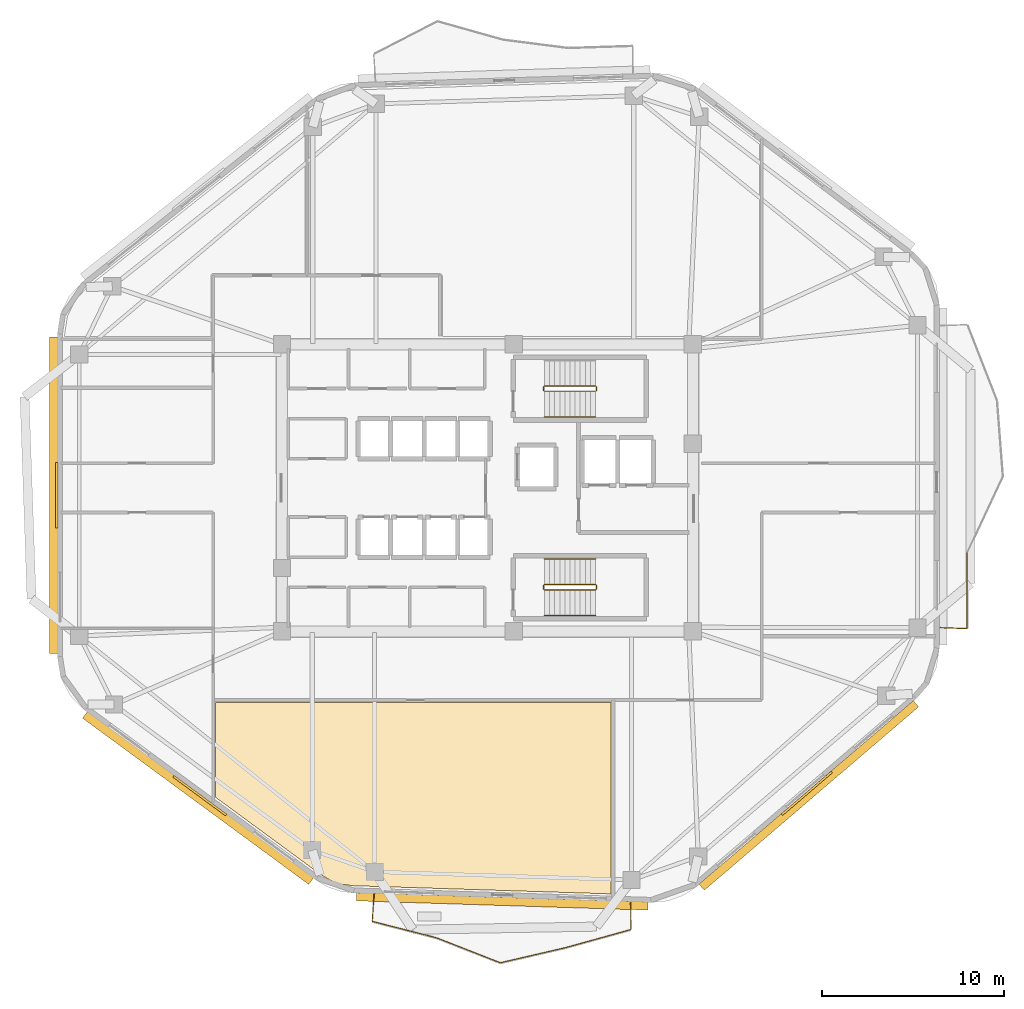
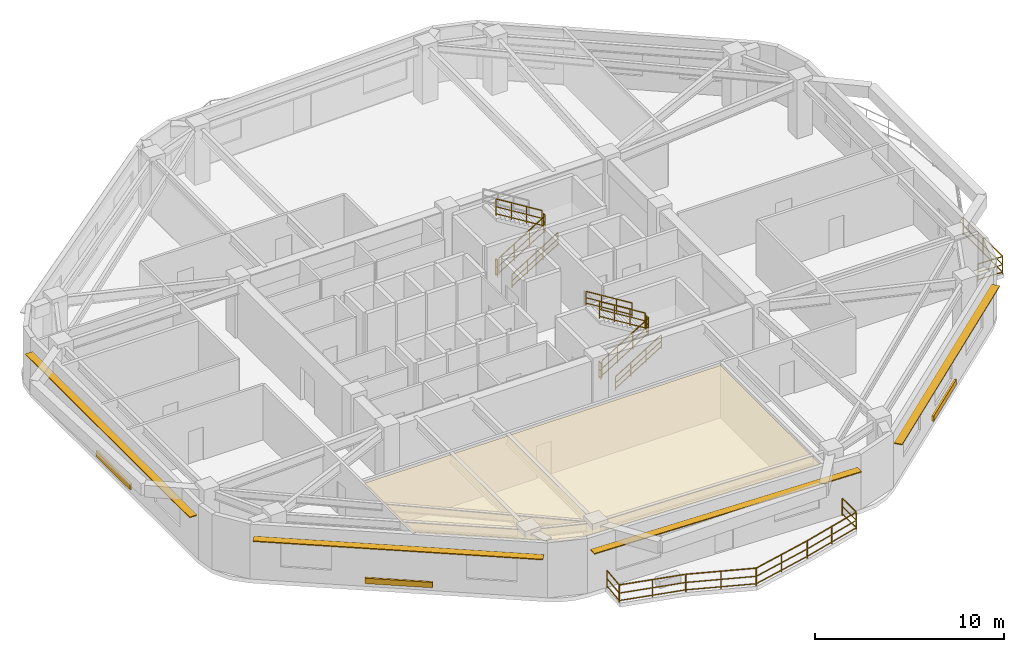
# One storey, part 7 of 8: 19 railings, 7 shading devices, 1 covering.
"""IFC4 building model written with IfcOpenShell, lengths in metres."""

from ifc_helpers import new_model, si_unit, direction, frame, origin, origin_2d, place, context, subcontext, project, spatial, polyline, rectangle, outline, extrude, material, layer, layer_set, type_object, element, save


model = new_model("IFC4")

# Units and contexts
model_context = context("Model", 3, precision=1e-05, world=origin(), true_north=direction((0.0, 1.0)))
body_context = subcontext(model_context, "Body", "Model", "MODEL_VIEW")
ifc_project = project(units=[si_unit("LENGTHUNIT", "METRE"), si_unit("AREAUNIT", "SQUARE_METRE"), si_unit("VOLUMEUNIT", "CUBIC_METRE"), si_unit("PLANEANGLEUNIT", "RADIAN"), si_unit("MASSUNIT", "GRAM", prefix="KILO")], contexts=[model_context])

# Site, building, storey
site_placement = place(None, origin())
site = spatial("IfcSite", under=ifc_project, at=site_placement, CompositionType="ELEMENT")
building_placement = place(site_placement, origin())
building = spatial("IfcBuilding", under=site, at=building_placement, Name="Zulverin Broadcast Headquarters", CompositionType="ELEMENT")
storey_placement = place(building_placement, frame((0.0, 0.0, 166.800048828125)))
storey = spatial("IfcBuildingStorey", under=building, at=storey_placement, Name="L42", CompositionType="ELEMENT", Elevation=166.800048828125)

# Covering
ifc_material_1 = material(Name="Perforated pale-metal acoustic baffle ceiling", Category="aluminium")
ifc_layer_1 = layer(ifc_material_1, 0.0400390625, Name="Perforated pale-metal acoustic baffle ceiling", Category="aluminium")
ifc_layer_set_1 = layer_set([ifc_layer_1], Name="Perforated pale-metal acoustic baffle ceiling")
covering_type = type_object("IfcCoveringType", Name="COV-CEIL-ACOU", PredefinedType="CEILING", material=ifc_layer_set_1)
covering_placement = place(storey_placement, frame((0.0, 0.0, 3.35986328125)))
element("IfcCovering", 1, at=covering_placement, inside=storey, type_object=covering_type, Name="L42 Acoustic Baffle Ceiling 03", PredefinedType="CEILING", context=body_context, shape_type="SweptSolid", body=[
    extrude(outline(polyline([(28.39599609375, 3.659912109375), (29.0, 3.447998046875), (29.652099609375, 3.364013671875), (43.780029296875, 2.916015625), (43.780029296875, 13.431884765625), (22.072021484375, 13.431884765625), (22.072021484375, 8.22412109375), (27.823974609375, 3.99609375), (28.39599609375, 3.659912109375)])), origin(), (0.0, 0.0, 1.0), 0.0400390625),
])

# Railings
ifc_material_2 = material(Name="Brushed stainless steel & laminated glass balustrade", Category="steel")
railing_type_1 = type_object("IfcRailingType", Name="RL-GUARD-1150", PredefinedType="GUARDRAIL", material=ifc_material_2)
railing_1_placement = place(storey_placement, frame((61.840087890625, 17.529296875, 0.0)))
element("IfcRailing", 2, at=railing_1_placement, inside=storey, type_object=railing_type_1, Name="L42 Vertical-Forest Balcony Guardrail BAL_E Segment 01", PredefinedType="GUARDRAIL", context=body_context, shape_type="SweptSolid", body=[
    extrude(rectangle(XDim=0.048095703125, YDim=0.048095703125, at=origin_2d()), frame((0.0, 0.0, 1.1259765625), z_axis=(0.99918088253, -0.040466825742, 0.0), x_axis=(0.040466825742, 0.99918088253, 0.0)), (0.0, 0.0, 1.0), 1.466064453125),
    extrude(rectangle(XDim=0.0419921875, YDim=0.0419921875, at=origin_2d()), frame((0.0, 0.0, 0.597900390625), z_axis=(0.99918088253, -0.040466825742, 0.0), x_axis=(0.040466825742, 0.99918088253, 0.0)), (0.0, 0.0, 1.0), 1.466064453125),
    extrude(rectangle(XDim=0.0419921875, YDim=0.0419921875, at=origin_2d()), frame((0.0, 0.0, 0.1201171875), z_axis=(0.99918088253, -0.040466825742, 0.0), x_axis=(0.040466825742, 0.99918088253, 0.0)), (0.0, 0.0, 1.0), 1.466064453125),
    extrude(rectangle(XDim=0.0419921875, YDim=0.0419921875, at=origin_2d()), origin(), (0.0, 0.0, 1.0), 1.101806640625),
    extrude(rectangle(XDim=0.0419921875, YDim=0.0419921875, at=origin_2d()), frame((1.46484375, -0.059326171875, 0.0)), (0.0, 0.0, 1.0), 1.101806640625),
])
railing_2_placement = place(storey_placement, frame((63.320068359375, 17.484375, 0.0)))
element("IfcRailing", 3, at=railing_2_placement, inside=storey, type_object=railing_type_1, Name="L42 Vertical-Forest Balcony Guardrail BAL_E Segment 02", PredefinedType="GUARDRAIL", context=body_context, shape_type="SweptSolid", body=[
    extrude(rectangle(XDim=0.048095703125, YDim=0.048095703125, at=origin_2d()), frame((0.0, 0.0, 1.1259765625), z_axis=(0.0, 1.0, 0.0), x_axis=(-1.0, 0.0, 0.0)), (0.0, 0.0, 1.0), 4.1455078125),
    extrude(rectangle(XDim=0.0419921875, YDim=0.0419921875, at=origin_2d()), frame((0.0, 0.0, 0.597900390625), z_axis=(0.0, 1.0, 0.0), x_axis=(-1.0, 0.0, 0.0)), (0.0, 0.0, 1.0), 4.1455078125),
    extrude(rectangle(XDim=0.0419921875, YDim=0.0419921875, at=origin_2d()), frame((0.0, 0.0, 0.1201171875), z_axis=(0.0, 1.0, 0.0), x_axis=(-1.0, 0.0, 0.0)), (0.0, 0.0, 1.0), 4.1455078125),
    extrude(rectangle(XDim=0.0419921875, YDim=0.0419921875, at=origin_2d()), origin(), (0.0, 0.0, 1.0), 1.101806640625),
    extrude(rectangle(XDim=0.0419921875, YDim=0.0419921875, at=origin_2d()), frame((0.0, 2.07275390625, 0.0)), (0.0, 0.0, 1.0), 1.101806640625),
    extrude(rectangle(XDim=0.0419921875, YDim=0.0419921875, at=origin_2d()), frame((0.0, 4.1455078125, 0.0)), (0.0, 0.0, 1.0), 1.101806640625),
])
railing_3_placement = place(storey_placement, frame((30.779296875, 2.8876953125, 0.0)))
element("IfcRailing", 4, at=railing_3_placement, inside=storey, type_object=railing_type_1, Name="L42 Vertical-Forest Balcony Guardrail BAL_S Segment 01", PredefinedType="GUARDRAIL", context=body_context, shape_type="SweptSolid", body=[
    extrude(rectangle(XDim=0.048095703125, YDim=0.048095703125, at=origin_2d()), frame((0.0, 0.0, 1.1259765625), z_axis=(-0.072276661537, -0.997384621997, 0.0), x_axis=(0.997384621997, -0.072276661537, 0.0)), (0.0, 0.0, 1.0), 1.466064453125),
    extrude(rectangle(XDim=0.0419921875, YDim=0.0419921875, at=origin_2d()), frame((0.0, 0.0, 0.597900390625), z_axis=(-0.072276661537, -0.997384621997, 0.0), x_axis=(0.997384621997, -0.072276661537, 0.0)), (0.0, 0.0, 1.0), 1.466064453125),
    extrude(rectangle(XDim=0.0419921875, YDim=0.0419921875, at=origin_2d()), frame((0.0, 0.0, 0.1201171875), z_axis=(-0.072276661537, -0.997384621997, 0.0), x_axis=(0.997384621997, -0.072276661537, 0.0)), (0.0, 0.0, 1.0), 1.466064453125),
    extrude(rectangle(XDim=0.0419921875, YDim=0.0419921875, at=origin_2d()), origin(), (0.0, 0.0, 1.0), 1.101806640625),
    extrude(rectangle(XDim=0.0419921875, YDim=0.0419921875, at=origin_2d()), frame((-0.10595703125, -1.462158203125, 0.0)), (0.0, 0.0, 1.0), 1.101806640625),
])
railing_4_placement = place(storey_placement, frame((30.686767578125, 1.40673828125, 0.0)))
element("IfcRailing", 5, at=railing_4_placement, inside=storey, type_object=railing_type_1, Name="L42 Vertical-Forest Balcony Guardrail BAL_S Segment 02", PredefinedType="GUARDRAIL", context=body_context, shape_type="SweptSolid", body=[
    extrude(rectangle(XDim=0.048095703125, YDim=0.048095703125, at=origin_2d()), frame((0.0, 0.0, 1.1259765625), z_axis=(0.968892172976, -0.247483246194, 0.0), x_axis=(0.247483246194, 0.968892172976, 0.0)), (0.0, 0.0, 1.0), 3.608642578125),
    extrude(rectangle(XDim=0.0419921875, YDim=0.0419921875, at=origin_2d()), frame((0.0, 0.0, 0.597900390625), z_axis=(0.968892172976, -0.247483246194, 0.0), x_axis=(0.247483246194, 0.968892172976, 0.0)), (0.0, 0.0, 1.0), 3.608642578125),
    extrude(rectangle(XDim=0.0419921875, YDim=0.0419921875, at=origin_2d()), frame((0.0, 0.0, 0.1201171875), z_axis=(0.968892172976, -0.247483246194, 0.0), x_axis=(0.247483246194, 0.968892172976, 0.0)), (0.0, 0.0, 1.0), 3.608642578125),
    extrude(rectangle(XDim=0.0419921875, YDim=0.0419921875, at=origin_2d()), origin(), (0.0, 0.0, 1.0), 1.101806640625),
    extrude(rectangle(XDim=0.0419921875, YDim=0.0419921875, at=origin_2d()), frame((1.748046875, -0.446533203125, 0.0)), (0.0, 0.0, 1.0), 1.101806640625),
    extrude(rectangle(XDim=0.0419921875, YDim=0.0419921875, at=origin_2d()), frame((3.496337890625, -0.89306640625, 0.0)), (0.0, 0.0, 1.0), 1.101806640625),
])
railing_5_placement = place(storey_placement, frame((34.211669921875, 0.50439453125, 0.0)))
element("IfcRailing", 6, at=railing_5_placement, inside=storey, type_object=railing_type_1, Name="L42 Vertical-Forest Balcony Guardrail BAL_S Segment 03", PredefinedType="GUARDRAIL", context=body_context, shape_type="SweptSolid", body=[
    extrude(rectangle(XDim=0.048095703125, YDim=0.048095703125, at=origin_2d()), frame((0.0, 0.0, 1.1259765625), z_axis=(0.931246632898, -0.364389501381, 0.0), x_axis=(0.364389501381, 0.931246632898, 0.0)), (0.0, 0.0, 1.0), 3.7392578125),
    extrude(rectangle(XDim=0.0419921875, YDim=0.0419921875, at=origin_2d()), frame((0.0, 0.0, 0.597900390625), z_axis=(0.931246632898, -0.364389501381, 0.0), x_axis=(0.364389501381, 0.931246632898, 0.0)), (0.0, 0.0, 1.0), 3.7392578125),
    extrude(rectangle(XDim=0.0419921875, YDim=0.0419921875, at=origin_2d()), frame((0.0, 0.0, 0.1201171875), z_axis=(0.931246632898, -0.364389501381, 0.0), x_axis=(0.364389501381, 0.931246632898, 0.0)), (0.0, 0.0, 1.0), 3.7392578125),
    extrude(rectangle(XDim=0.0419921875, YDim=0.0419921875, at=origin_2d()), origin(), (0.0, 0.0, 1.0), 1.101806640625),
    extrude(rectangle(XDim=0.0419921875, YDim=0.0419921875, at=origin_2d()), frame((1.7412109375, -0.68115234375, 0.0)), (0.0, 0.0, 1.0), 1.101806640625),
    extrude(rectangle(XDim=0.0419921875, YDim=0.0419921875, at=origin_2d()), frame((3.482177734375, -1.362548828125, 0.0)), (0.0, 0.0, 1.0), 1.101806640625),
])
railing_6_placement = place(storey_placement, frame((37.722412109375, -0.8603515625, 0.0)))
element("IfcRailing", 7, at=railing_6_placement, inside=storey, type_object=railing_type_1, Name="L42 Vertical-Forest Balcony Guardrail BAL_S Segment 04", PredefinedType="GUARDRAIL", context=body_context, shape_type="SweptSolid", body=[
    extrude(rectangle(XDim=0.048095703125, YDim=0.048095703125, at=origin_2d()), frame((0.0, 0.0, 1.1259765625), z_axis=(0.974134331739, 0.225969696479, 0.0), x_axis=(-0.225969696479, 0.974134331739, 0.0)), (0.0, 0.0, 1.0), 3.645263671875),
    extrude(rectangle(XDim=0.0419921875, YDim=0.0419921875, at=origin_2d()), frame((0.0, 0.0, 0.597900390625), z_axis=(0.974134331739, 0.225969696479, 0.0), x_axis=(-0.225969696479, 0.974134331739, 0.0)), (0.0, 0.0, 1.0), 3.645263671875),
    extrude(rectangle(XDim=0.0419921875, YDim=0.0419921875, at=origin_2d()), frame((0.0, 0.0, 0.1201171875), z_axis=(0.974134331739, 0.225969696479, 0.0), x_axis=(-0.225969696479, 0.974134331739, 0.0)), (0.0, 0.0, 1.0), 3.645263671875),
    extrude(rectangle(XDim=0.0419921875, YDim=0.0419921875, at=origin_2d()), origin(), (0.0, 0.0, 1.0), 1.101806640625),
    extrude(rectangle(XDim=0.0419921875, YDim=0.0419921875, at=origin_2d()), frame((1.775390625, 0.411865234375, 0.0)), (0.0, 0.0, 1.0), 1.101806640625),
    extrude(rectangle(XDim=0.0419921875, YDim=0.0419921875, at=origin_2d()), frame((3.551025390625, 0.82373046875, 0.0)), (0.0, 0.0, 1.0), 1.101806640625),
])
railing_7_placement = place(storey_placement, frame((41.302490234375, -0.029296875, 0.0)))
element("IfcRailing", 8, at=railing_7_placement, inside=storey, type_object=railing_type_1, Name="L42 Vertical-Forest Balcony Guardrail BAL_S Segment 05", PredefinedType="GUARDRAIL", context=body_context, shape_type="SweptSolid", body=[
    extrude(rectangle(XDim=0.048095703125, YDim=0.048095703125, at=origin_2d()), frame((0.0, 0.0, 1.1259765625), z_axis=(0.963694935876, 0.267005750065, 0.0), x_axis=(-0.267005750065, 0.963694935876, 0.0)), (0.0, 0.0, 1.0), 3.6904296875),
    extrude(rectangle(XDim=0.0419921875, YDim=0.0419921875, at=origin_2d()), frame((0.0, 0.0, 0.597900390625), z_axis=(0.963694935876, 0.267005750065, 0.0), x_axis=(-0.267005750065, 0.963694935876, 0.0)), (0.0, 0.0, 1.0), 3.6904296875),
    extrude(rectangle(XDim=0.0419921875, YDim=0.0419921875, at=origin_2d()), frame((0.0, 0.0, 0.1201171875), z_axis=(0.963694935876, 0.267005750065, 0.0), x_axis=(-0.267005750065, 0.963694935876, 0.0)), (0.0, 0.0, 1.0), 3.6904296875),
    extrude(rectangle(XDim=0.0419921875, YDim=0.0419921875, at=origin_2d()), origin(), (0.0, 0.0, 1.0), 1.101806640625),
    extrude(rectangle(XDim=0.0419921875, YDim=0.0419921875, at=origin_2d()), frame((1.7783203125, 0.49267578125, 0.0)), (0.0, 0.0, 1.0), 1.101806640625),
    extrude(rectangle(XDim=0.0419921875, YDim=0.0419921875, at=origin_2d()), frame((3.556396484375, 0.9853515625, 0.0)), (0.0, 0.0, 1.0), 1.101806640625),
])
railing_8_placement = place(storey_placement, frame((44.873291015625, 0.97509765625, 0.0)))
element("IfcRailing", 9, at=railing_8_placement, inside=storey, type_object=railing_type_1, Name="L42 Vertical-Forest Balcony Guardrail BAL_S Segment 06", PredefinedType="GUARDRAIL", context=body_context, shape_type="SweptSolid", body=[
    extrude(rectangle(XDim=0.048095703125, YDim=0.048095703125, at=origin_2d()), frame((0.0, 0.0, 1.1259765625), z_axis=(-0.008659125807, 0.999962509067, 0.0), x_axis=(-0.999962509067, -0.008659125807, 0.0)), (0.0, 0.0, 1.0), 1.466064453125),
    extrude(rectangle(XDim=0.0419921875, YDim=0.0419921875, at=origin_2d()), frame((0.0, 0.0, 0.597900390625), z_axis=(-0.008659125807, 0.999962509067, 0.0), x_axis=(-0.999962509067, -0.008659125807, 0.0)), (0.0, 0.0, 1.0), 1.466064453125),
    extrude(rectangle(XDim=0.0419921875, YDim=0.0419921875, at=origin_2d()), frame((0.0, 0.0, 0.1201171875), z_axis=(-0.008659125807, 0.999962509067, 0.0), x_axis=(-0.999962509067, -0.008659125807, 0.0)), (0.0, 0.0, 1.0), 1.466064453125),
    extrude(rectangle(XDim=0.0419921875, YDim=0.0419921875, at=origin_2d()), origin(), (0.0, 0.0, 1.0), 1.101806640625),
    extrude(rectangle(XDim=0.0419921875, YDim=0.0419921875, at=origin_2d()), frame((-0.0126953125, 1.466064453125, 0.0)), (0.0, 0.0, 1.0), 1.101806640625),
])
ifc_material_3 = material(Name="Painted galvanized steel tubular guardrail S355JR", Category="steel")
railing_type_2 = type_object("IfcRailingType", Name="RL-ST-GUARD", PredefinedType="GUARDRAIL", material=ifc_material_3)
railing_9_placement = place(storey_placement, frame((40.1298828125, 30.5, 0.172607421875)))
element("IfcRailing", 10, at=railing_9_placement, inside=storey, type_object=railing_type_2, Name="L42 ST-1 stair guard 1", PredefinedType="GUARDRAIL", context=body_context, shape_type="SweptSolid", body=[
    extrude(rectangle(XDim=0.048095703125, YDim=0.048095703125, at=origin_2d()), frame((0.0, 0.0, 1.076171875), z_axis=(0.851089632645, 0.0, 0.525020415988), x_axis=(0.0, 1.0, 0.0)), (0.0, 0.0, 1.0), 3.2900390625),
    extrude(rectangle(XDim=0.0419921875, YDim=0.0419921875, at=origin_2d()), frame((0.0, 0.0, 0.572021484375), z_axis=(0.851089632645, 0.0, 0.525020415988), x_axis=(0.0, 1.0, 0.0)), (0.0, 0.0, 1.0), 3.2900390625),
    extrude(rectangle(XDim=0.0419921875, YDim=0.0419921875, at=origin_2d()), frame((0.0, 0.0, 0.1201171875), z_axis=(0.851089632645, 0.0, 0.525020415988), x_axis=(0.0, 1.0, 0.0)), (0.0, 0.0, 1.0), 3.2900390625),
    extrude(rectangle(XDim=0.0419921875, YDim=0.0419921875, at=origin_2d()), origin(), (0.0, 0.0, 1.0), 1.052001953125),
    extrude(rectangle(XDim=0.0419921875, YDim=0.0419921875, at=origin_2d()), frame((0.933349609375, 0.0, 0.57568359375)), (0.0, 0.0, 1.0), 1.052001953125),
    extrude(rectangle(XDim=0.0419921875, YDim=0.0419921875, at=origin_2d()), frame((1.86669921875, 0.0, 1.151611328125)), (0.0, 0.0, 1.0), 1.052001953125),
    extrude(rectangle(XDim=0.0419921875, YDim=0.0419921875, at=origin_2d()), frame((2.800048828125, 0.0, 1.727294921875)), (0.0, 0.0, 1.0), 1.052001953125),
])
railing_10_placement = place(storey_placement, frame((42.97998046875, 30.550048828125, 1.89990234375)))
element("IfcRailing", 11, at=railing_10_placement, inside=storey, type_object=railing_type_2, Name="L42 ST-1 stair guard 2", PredefinedType="GUARDRAIL", context=body_context, shape_type="SweptSolid", body=[
    extrude(rectangle(XDim=0.048095703125, YDim=0.048095703125, at=origin_2d()), frame((0.0, 0.0, 1.076171875), z_axis=(0.0, 1.0, 0.0), x_axis=(-1.0, 0.0, 0.0)), (0.0, 0.0, 1.0), 0.199951171875),
    extrude(rectangle(XDim=0.0419921875, YDim=0.0419921875, at=origin_2d()), frame((0.0, 0.0, 0.572021484375), z_axis=(0.0, 1.0, 0.0), x_axis=(-1.0, 0.0, 0.0)), (0.0, 0.0, 1.0), 0.199951171875),
    extrude(rectangle(XDim=0.0419921875, YDim=0.0419921875, at=origin_2d()), frame((0.0, 0.0, 0.1201171875), z_axis=(0.0, 1.0, 0.0), x_axis=(-1.0, 0.0, 0.0)), (0.0, 0.0, 1.0), 0.199951171875),
    extrude(rectangle(XDim=0.0419921875, YDim=0.0419921875, at=origin_2d()), origin(), (0.0, 0.0, 1.0), 1.052001953125),
    extrude(rectangle(XDim=0.0419921875, YDim=0.0419921875, at=origin_2d()), frame((0.0, 0.199951171875, 0.0)), (0.0, 0.0, 1.0), 1.052001953125),
])
railing_11_placement = place(storey_placement, frame((42.929931640625, 30.800048828125, 2.07275390625)))
element("IfcRailing", 12, at=railing_11_placement, inside=storey, type_object=railing_type_2, Name="L42 ST-1 stair guard 3", PredefinedType="GUARDRAIL", context=body_context, shape_type="SweptSolid", body=[
    extrude(rectangle(XDim=0.048095703125, YDim=0.048095703125, at=origin_2d()), frame((0.0, 0.0, 1.076171875), z_axis=(-0.851089632645, 0.0, 0.525020415988), x_axis=(0.0, -1.0, 0.0)), (0.0, 0.0, 1.0), 3.2900390625),
    extrude(rectangle(XDim=0.0419921875, YDim=0.0419921875, at=origin_2d()), frame((0.0, 0.0, 0.572021484375), z_axis=(-0.851089632645, 0.0, 0.525020415988), x_axis=(0.0, -1.0, 0.0)), (0.0, 0.0, 1.0), 3.2900390625),
    extrude(rectangle(XDim=0.0419921875, YDim=0.0419921875, at=origin_2d()), frame((0.0, 0.0, 0.1201171875), z_axis=(-0.851089632645, 0.0, 0.525020415988), x_axis=(0.0, -1.0, 0.0)), (0.0, 0.0, 1.0), 3.2900390625),
    extrude(rectangle(XDim=0.0419921875, YDim=0.0419921875, at=origin_2d()), origin(), (0.0, 0.0, 1.0), 1.052001953125),
    extrude(rectangle(XDim=0.0419921875, YDim=0.0419921875, at=origin_2d()), frame((-0.933349609375, 0.0, 0.57568359375)), (0.0, 0.0, 1.0), 1.052001953125),
    extrude(rectangle(XDim=0.0419921875, YDim=0.0419921875, at=origin_2d()), frame((-1.86669921875, 0.0, 1.151611328125)), (0.0, 0.0, 1.0), 1.052001953125),
    extrude(rectangle(XDim=0.0419921875, YDim=0.0419921875, at=origin_2d()), frame((-2.800048828125, 0.0, 1.727294921875)), (0.0, 0.0, 1.0), 1.052001953125),
])
railing_12_placement = place(storey_placement, frame((40.080078125, 30.550048828125, 0.0)))
element("IfcRailing", 13, at=railing_12_placement, inside=storey, type_object=railing_type_2, Name="L42 ST-1 stair guard 4", PredefinedType="GUARDRAIL", context=body_context, shape_type="SweptSolid", body=[
    extrude(rectangle(XDim=0.048095703125, YDim=0.048095703125, at=origin_2d()), frame((0.0, 0.0, 1.076171875), z_axis=(0.0, 1.0, 0.0), x_axis=(-1.0, 0.0, 0.0)), (0.0, 0.0, 1.0), 0.199951171875),
    extrude(rectangle(XDim=0.0419921875, YDim=0.0419921875, at=origin_2d()), frame((0.0, 0.0, 0.572021484375), z_axis=(0.0, 1.0, 0.0), x_axis=(-1.0, 0.0, 0.0)), (0.0, 0.0, 1.0), 0.199951171875),
    extrude(rectangle(XDim=0.0419921875, YDim=0.0419921875, at=origin_2d()), frame((0.0, 0.0, 0.1201171875), z_axis=(0.0, 1.0, 0.0), x_axis=(-1.0, 0.0, 0.0)), (0.0, 0.0, 1.0), 0.199951171875),
    extrude(rectangle(XDim=0.0419921875, YDim=0.0419921875, at=origin_2d()), origin(), (0.0, 0.0, 1.0), 1.052001953125),
    extrude(rectangle(XDim=0.0419921875, YDim=0.0419921875, at=origin_2d()), frame((0.0, 0.199951171875, 0.0)), (0.0, 0.0, 1.0), 1.052001953125),
])
railing_13_placement = place(storey_placement, frame((40.1298828125, 19.60009765625, 0.172607421875)))
element("IfcRailing", 14, at=railing_13_placement, inside=storey, type_object=railing_type_2, Name="L42 ST-2 stair guard 1", PredefinedType="GUARDRAIL", context=body_context, shape_type="SweptSolid", body=[
    extrude(rectangle(XDim=0.048095703125, YDim=0.048095703125, at=origin_2d()), frame((0.0, 0.0, 1.076171875), z_axis=(0.851089632645, 0.0, 0.525020415988), x_axis=(0.0, 1.0, 0.0)), (0.0, 0.0, 1.0), 3.2900390625),
    extrude(rectangle(XDim=0.0419921875, YDim=0.0419921875, at=origin_2d()), frame((0.0, 0.0, 0.572021484375), z_axis=(0.851089632645, 0.0, 0.525020415988), x_axis=(0.0, 1.0, 0.0)), (0.0, 0.0, 1.0), 3.2900390625),
    extrude(rectangle(XDim=0.0419921875, YDim=0.0419921875, at=origin_2d()), frame((0.0, 0.0, 0.1201171875), z_axis=(0.851089632645, 0.0, 0.525020415988), x_axis=(0.0, 1.0, 0.0)), (0.0, 0.0, 1.0), 3.2900390625),
    extrude(rectangle(XDim=0.0419921875, YDim=0.0419921875, at=origin_2d()), origin(), (0.0, 0.0, 1.0), 1.052001953125),
    extrude(rectangle(XDim=0.0419921875, YDim=0.0419921875, at=origin_2d()), frame((0.933349609375, 0.0, 0.57568359375)), (0.0, 0.0, 1.0), 1.052001953125),
    extrude(rectangle(XDim=0.0419921875, YDim=0.0419921875, at=origin_2d()), frame((1.86669921875, 0.0, 1.151611328125)), (0.0, 0.0, 1.0), 1.052001953125),
    extrude(rectangle(XDim=0.0419921875, YDim=0.0419921875, at=origin_2d()), frame((2.800048828125, 0.0, 1.727294921875)), (0.0, 0.0, 1.0), 1.052001953125),
])
railing_14_placement = place(storey_placement, frame((42.97998046875, 19.64990234375, 1.89990234375)))
element("IfcRailing", 15, at=railing_14_placement, inside=storey, type_object=railing_type_2, Name="L42 ST-2 stair guard 2", PredefinedType="GUARDRAIL", context=body_context, shape_type="SweptSolid", body=[
    extrude(rectangle(XDim=0.048095703125, YDim=0.048095703125, at=origin_2d()), frame((0.0, 0.0, 1.076171875), z_axis=(0.0, 1.0, 0.0), x_axis=(-1.0, 0.0, 0.0)), (0.0, 0.0, 1.0), 0.2001953125),
    extrude(rectangle(XDim=0.0419921875, YDim=0.0419921875, at=origin_2d()), frame((0.0, 0.0, 0.572021484375), z_axis=(0.0, 1.0, 0.0), x_axis=(-1.0, 0.0, 0.0)), (0.0, 0.0, 1.0), 0.2001953125),
    extrude(rectangle(XDim=0.0419921875, YDim=0.0419921875, at=origin_2d()), frame((0.0, 0.0, 0.1201171875), z_axis=(0.0, 1.0, 0.0), x_axis=(-1.0, 0.0, 0.0)), (0.0, 0.0, 1.0), 0.2001953125),
    extrude(rectangle(XDim=0.0419921875, YDim=0.0419921875, at=origin_2d()), origin(), (0.0, 0.0, 1.0), 1.052001953125),
    extrude(rectangle(XDim=0.0419921875, YDim=0.0419921875, at=origin_2d()), frame((0.0, 0.2001953125, 0.0)), (0.0, 0.0, 1.0), 1.052001953125),
])
railing_15_placement = place(storey_placement, frame((42.929931640625, 19.89990234375, 2.07275390625)))
element("IfcRailing", 16, at=railing_15_placement, inside=storey, type_object=railing_type_2, Name="L42 ST-2 stair guard 3", PredefinedType="GUARDRAIL", context=body_context, shape_type="SweptSolid", body=[
    extrude(rectangle(XDim=0.048095703125, YDim=0.048095703125, at=origin_2d()), frame((0.0, 0.0, 1.076171875), z_axis=(-0.851089632645, 0.0, 0.525020415988), x_axis=(0.0, -1.0, 0.0)), (0.0, 0.0, 1.0), 3.2900390625),
    extrude(rectangle(XDim=0.0419921875, YDim=0.0419921875, at=origin_2d()), frame((0.0, 0.0, 0.572021484375), z_axis=(-0.851089632645, 0.0, 0.525020415988), x_axis=(0.0, -1.0, 0.0)), (0.0, 0.0, 1.0), 3.2900390625),
    extrude(rectangle(XDim=0.0419921875, YDim=0.0419921875, at=origin_2d()), frame((0.0, 0.0, 0.1201171875), z_axis=(-0.851089632645, 0.0, 0.525020415988), x_axis=(0.0, -1.0, 0.0)), (0.0, 0.0, 1.0), 3.2900390625),
    extrude(rectangle(XDim=0.0419921875, YDim=0.0419921875, at=origin_2d()), origin(), (0.0, 0.0, 1.0), 1.052001953125),
    extrude(rectangle(XDim=0.0419921875, YDim=0.0419921875, at=origin_2d()), frame((-0.933349609375, 0.0, 0.57568359375)), (0.0, 0.0, 1.0), 1.052001953125),
    extrude(rectangle(XDim=0.0419921875, YDim=0.0419921875, at=origin_2d()), frame((-1.86669921875, 0.0, 1.151611328125)), (0.0, 0.0, 1.0), 1.052001953125),
    extrude(rectangle(XDim=0.0419921875, YDim=0.0419921875, at=origin_2d()), frame((-2.800048828125, 0.0, 1.727294921875)), (0.0, 0.0, 1.0), 1.052001953125),
])
railing_16_placement = place(storey_placement, frame((40.080078125, 19.64990234375, 0.0)))
element("IfcRailing", 17, at=railing_16_placement, inside=storey, type_object=railing_type_2, Name="L42 ST-2 stair guard 4", PredefinedType="GUARDRAIL", context=body_context, shape_type="SweptSolid", body=[
    extrude(rectangle(XDim=0.048095703125, YDim=0.048095703125, at=origin_2d()), frame((0.0, 0.0, 1.076171875), z_axis=(0.0, 1.0, 0.0), x_axis=(-1.0, 0.0, 0.0)), (0.0, 0.0, 1.0), 0.2001953125),
    extrude(rectangle(XDim=0.0419921875, YDim=0.0419921875, at=origin_2d()), frame((0.0, 0.0, 0.572021484375), z_axis=(0.0, 1.0, 0.0), x_axis=(-1.0, 0.0, 0.0)), (0.0, 0.0, 1.0), 0.2001953125),
    extrude(rectangle(XDim=0.0419921875, YDim=0.0419921875, at=origin_2d()), frame((0.0, 0.0, 0.1201171875), z_axis=(0.0, 1.0, 0.0), x_axis=(-1.0, 0.0, 0.0)), (0.0, 0.0, 1.0), 0.2001953125),
    extrude(rectangle(XDim=0.0419921875, YDim=0.0419921875, at=origin_2d()), origin(), (0.0, 0.0, 1.0), 1.052001953125),
    extrude(rectangle(XDim=0.0419921875, YDim=0.0419921875, at=origin_2d()), frame((0.0, 0.2001953125, 0.0)), (0.0, 0.0, 1.0), 1.052001953125),
])
ifc_material_4 = material(Name="Brushed stainless steel 48 mm handrail", Category="steel")
railing_type_3 = type_object("IfcRailingType", Name="RL-ST-HAND", PredefinedType="HANDRAIL", material=ifc_material_4)
for number, where, name in (
    (18, (40.1298828125, 29.10009765625, 0.172607421875), "L42 ST-1 stair handrail 1"),
    (19, (40.1298828125, 18.199951171875, 0.172607421875), "L42 ST-2 stair handrail 1"),
):
    element("IfcRailing", number, at=place(storey_placement, frame(where)), inside=storey, type_object=railing_type_3, Name=name, PredefinedType="HANDRAIL", context=body_context, shape_type="SweptSolid", body=[
        extrude(rectangle(XDim=0.048095703125, YDim=0.048095703125, at=origin_2d()), frame((0.0, 0.0, 0.8759765625), z_axis=(0.851089632645, 0.0, 0.525020415988), x_axis=(0.0, 1.0, 0.0)), (0.0, 0.0, 1.0), 3.2900390625),
        extrude(rectangle(XDim=0.0419921875, YDim=0.0419921875, at=origin_2d()), frame((0.0, 0.0, 0.468017578125), z_axis=(0.851089632645, 0.0, 0.525020415988), x_axis=(0.0, 1.0, 0.0)), (0.0, 0.0, 1.0), 3.2900390625),
        extrude(rectangle(XDim=0.0419921875, YDim=0.0419921875, at=origin_2d()), frame((0.0, 0.0, 0.1201171875), z_axis=(0.851089632645, 0.0, 0.525020415988), x_axis=(0.0, 1.0, 0.0)), (0.0, 0.0, 1.0), 3.2900390625),
        extrude(rectangle(XDim=0.0419921875, YDim=0.0419921875, at=origin_2d()), origin(), (0.0, 0.0, 1.0), 0.851806640625),
        extrude(rectangle(XDim=0.0419921875, YDim=0.0419921875, at=origin_2d()), frame((0.933349609375, 0.0, 0.57568359375)), (0.0, 0.0, 1.0), 0.851806640625),
        extrude(rectangle(XDim=0.0419921875, YDim=0.0419921875, at=origin_2d()), frame((1.86669921875, 0.0, 1.151611328125)), (0.0, 0.0, 1.0), 0.851806640625),
        extrude(rectangle(XDim=0.0419921875, YDim=0.0419921875, at=origin_2d()), frame((2.800048828125, 0.0, 1.727294921875)), (0.0, 0.0, 1.0), 0.851806640625),
    ])
railing_17_placement = place(storey_placement, frame((42.929931640625, 21.300048828125, 2.07275390625)))
element("IfcRailing", 20, at=railing_17_placement, inside=storey, type_object=railing_type_3, Name="L42 ST-2 stair handrail 2", PredefinedType="HANDRAIL", context=body_context, shape_type="SweptSolid", body=[
    extrude(rectangle(XDim=0.048095703125, YDim=0.048095703125, at=origin_2d()), frame((0.0, 0.0, 0.8759765625), z_axis=(-0.851089632645, 0.0, 0.525020415988), x_axis=(0.0, -1.0, 0.0)), (0.0, 0.0, 1.0), 3.2900390625),
    extrude(rectangle(XDim=0.0419921875, YDim=0.0419921875, at=origin_2d()), frame((0.0, 0.0, 0.468017578125), z_axis=(-0.851089632645, 0.0, 0.525020415988), x_axis=(0.0, -1.0, 0.0)), (0.0, 0.0, 1.0), 3.2900390625),
    extrude(rectangle(XDim=0.0419921875, YDim=0.0419921875, at=origin_2d()), frame((0.0, 0.0, 0.1201171875), z_axis=(-0.851089632645, 0.0, 0.525020415988), x_axis=(0.0, -1.0, 0.0)), (0.0, 0.0, 1.0), 3.2900390625),
    extrude(rectangle(XDim=0.0419921875, YDim=0.0419921875, at=origin_2d()), origin(), (0.0, 0.0, 1.0), 0.851806640625),
    extrude(rectangle(XDim=0.0419921875, YDim=0.0419921875, at=origin_2d()), frame((-0.933349609375, 0.0, 0.57568359375)), (0.0, 0.0, 1.0), 0.851806640625),
    extrude(rectangle(XDim=0.0419921875, YDim=0.0419921875, at=origin_2d()), frame((-1.86669921875, 0.0, 1.151611328125)), (0.0, 0.0, 1.0), 0.851806640625),
    extrude(rectangle(XDim=0.0419921875, YDim=0.0419921875, at=origin_2d()), frame((-2.800048828125, 0.0, 1.727294921875)), (0.0, 0.0, 1.0), 0.851806640625),
])

# Shading devices
ifc_material_5 = material(Name="Anodized pale-metal aluminium acoustic louvre", Category="aluminium")
shading_device_type_1 = type_object("IfcShadingDeviceType", Name="SHD-LOUVRE-350", PredefinedType="USERDEFINED", material=ifc_material_5)
for number, where, z_axis, x_axis, name in (
    (21, (54.53466796875, 8.4404296875, 0.244873046875), (0.0, 0.0, 1.0), (0.759706154917, 0.650266528572, 0.0), "L42 Spandrel Intake Louvre 2"),
    (22, (13.360107421875, 24.797607421875, 0.244873046875), (0.0, 0.0, 1.0), (0.0, -1.0, 0.0), "L42 Spandrel Intake Louvre 7"),
    (23, (21.212158203125, 8.309326171875, 0.244873046875), (0.0, 0.0, 1.0), (0.805802206513, -0.592184771822, 0.0), "L42 Spandrel Intake Louvre 8"),
):
    element("IfcShadingDevice", number, at=place(storey_placement, frame(where, z_axis=z_axis, x_axis=x_axis)), inside=storey, type_object=shading_device_type_1, Name=name, ObjectType="LOUVRE", PredefinedType="USERDEFINED", context=body_context, shape_type="SweptSolid", body=[
        extrude(rectangle(XDim=3.60009765625, YDim=0.1201171875, at=origin_2d()), origin(), (0.0, 0.0, 1.0), 0.35009765625),
    ])
ifc_material_6 = material(Name="Anodized pale-metal aluminium sunshade", Category="aluminium")
ifc_layer_2 = layer(ifc_material_6, 0.06005859375, Name="Anodized pale-metal aluminium sunshade", Category="aluminium")
ifc_layer_set_2 = layer_set([ifc_layer_2], Name="Anodized pale-metal aluminium sunshade")
shading_device_type_2 = type_object("IfcShadingDeviceType", Name="SS-01_PALE_METAL_ALUMINIUM_SUNSHADE", PredefinedType="USERDEFINED", material=ifc_layer_set_2)
shading_device_1_placement = place(storey_placement, frame((37.814697265625, 2.504638671875, 2.7099609375), z_axis=(0.0, 0.0, 1.0), x_axis=(0.999497141269, -0.031709061709, 0.0)))
element("IfcShadingDevice", 24, at=shading_device_1_placement, inside=storey, type_object=shading_device_type_2, Name="L42 Horizontal Pale-Metal Sunshade Band 1", ObjectType="SUNSHADE", PredefinedType="USERDEFINED", context=body_context, shape_type="SweptSolid", body=[
    extrude(rectangle(XDim=16.00830078125, YDim=0.449951171875, at=origin_2d()), origin(), (0.0, 0.0, 1.0), 0.06005859375),
])
shading_device_2_placement = place(storey_placement, frame((54.638671875, 8.319091796875, 2.7099609375), z_axis=(0.0, 0.0, 1.0), x_axis=(0.759706154917, 0.650266528572, 0.0)))
element("IfcShadingDevice", 25, at=shading_device_2_placement, inside=storey, type_object=shading_device_type_2, Name="L42 Horizontal Pale-Metal Sunshade Band 2", ObjectType="SUNSHADE", PredefinedType="USERDEFINED", context=body_context, shape_type="SweptSolid", body=[
    extrude(rectangle(XDim=15.48095703125, YDim=0.449951171875, at=origin_2d()), origin(), (0.0, 0.0, 1.0), 0.06005859375),
])
shading_device_3_placement = place(storey_placement, frame((13.199951171875, 24.797607421875, 2.7099609375), z_axis=(0.0, 0.0, 1.0), x_axis=(0.0, -1.0, 0.0)))
element("IfcShadingDevice", 26, at=shading_device_3_placement, inside=storey, type_object=shading_device_type_2, Name="L42 Horizontal Pale-Metal Sunshade Band 7", ObjectType="SUNSHADE", PredefinedType="USERDEFINED", context=body_context, shape_type="SweptSolid", body=[
    extrude(rectangle(XDim=17.351318359375, YDim=0.449951171875, at=origin_2d()), origin(), (0.0, 0.0, 1.0), 0.06005859375),
])
shading_device_4_placement = place(storey_placement, frame((21.1171875, 8.180419921875, 2.7099609375), z_axis=(0.0, 0.0, 1.0), x_axis=(0.805802206513, -0.592184771822, 0.0)))
element("IfcShadingDevice", 27, at=shading_device_4_placement, inside=storey, type_object=shading_device_type_2, Name="L42 Horizontal Pale-Metal Sunshade Band 8", ObjectType="SUNSHADE", PredefinedType="USERDEFINED", context=body_context, shape_type="SweptSolid", body=[
    extrude(rectangle(XDim=15.404541015625, YDim=0.449951171875, at=origin_2d()), origin(), (0.0, 0.0, 1.0), 0.06005859375),
])

save(model, "model.ifc")
